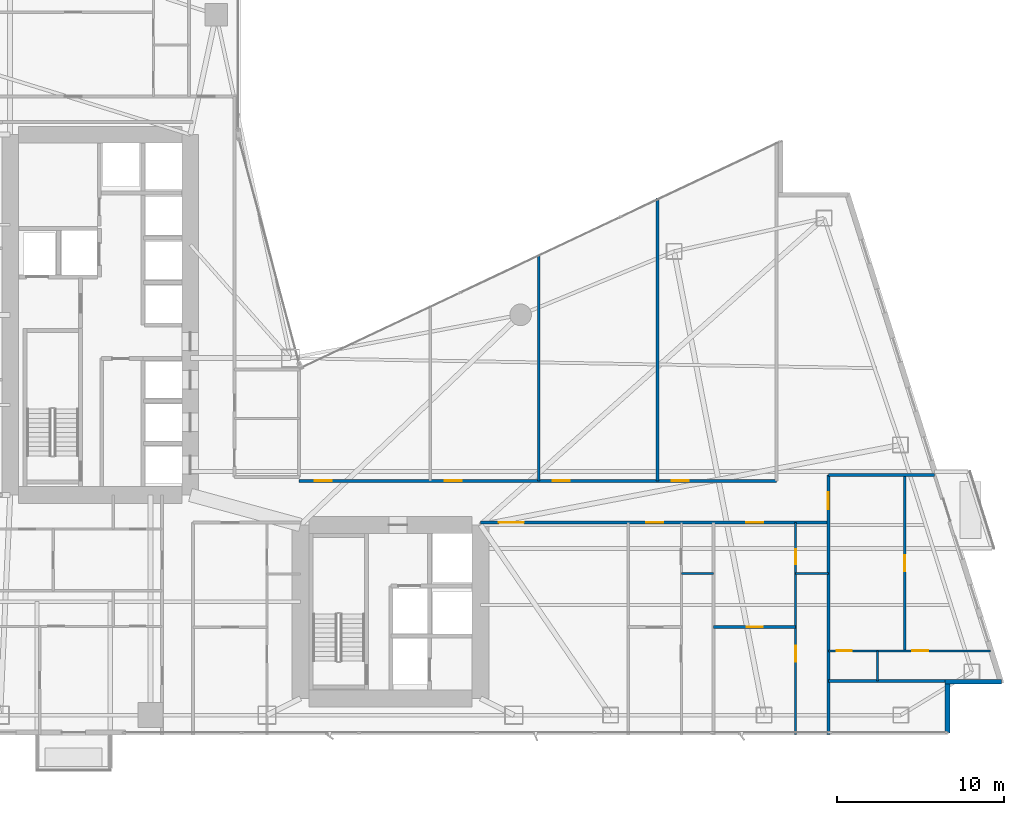
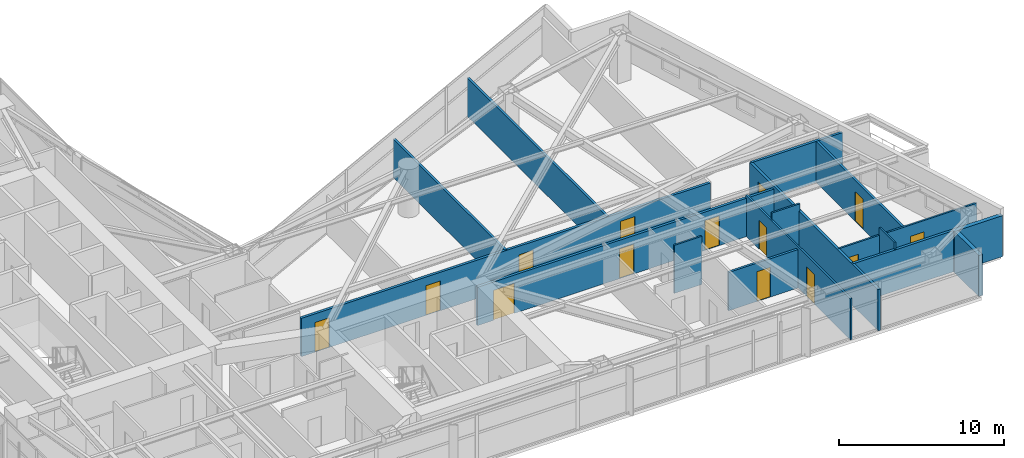
# One storey, part 24 of 29: 16 walls, 14 doors, 14 openings.
"""IFC4 building model written with IfcOpenShell, lengths in metres."""

from ifc_helpers import new_model, si_unit, direction, frame, frame_2d, origin, place, context, subcontext, project, spatial, rectangle, extrude, material, layer, layer_set, type_object, element, fill, save


model = new_model("IFC4")

# Units and contexts
model_context = context("Model", 3, precision=1e-05, world=origin(), true_north=direction((0.0, 1.0)))
body_context = subcontext(model_context, "Body", "Model", "MODEL_VIEW")
ifc_project = project(units=[si_unit("LENGTHUNIT", "METRE"), si_unit("AREAUNIT", "SQUARE_METRE"), si_unit("VOLUMEUNIT", "CUBIC_METRE"), si_unit("PLANEANGLEUNIT", "RADIAN"), si_unit("MASSUNIT", "GRAM", prefix="KILO")], contexts=[model_context])

# Site, building, storey
site_placement = place(None, origin())
site = spatial("IfcSite", under=ifc_project, at=site_placement, CompositionType="ELEMENT")
building_placement = place(site_placement, origin())
building = spatial("IfcBuilding", under=site, at=building_placement, Name="Calvorn Quay Hotel", CompositionType="ELEMENT")
storey_placement = place(building_placement, frame((0.0, 0.0, 81.199951171875)))
storey = spatial("IfcBuildingStorey", under=building, at=storey_placement, Name="L19", CompositionType="ELEMENT", Elevation=81.199951171875)

# Wall, openings, doors
ifc_material_1 = material(Name="Acoustic Fireboard Steel-Stud Partition", Category="steel")
ifc_layer_1 = layer(ifc_material_1, 0.179931640625)
ifc_layer_set_1 = layer_set([ifc_layer_1], Name="WL-CORR-FIRE-180")
wall_type_1 = type_object("IfcWallType", Name="WL-CORR-FIRE-180", PredefinedType="PARTITIONING", material=ifc_layer_set_1)
wall_1_placement = place(storey_placement, frame((32.39990234375, 15.14990234375, 0.0), z_axis=(0.0, 0.0, 1.0), x_axis=(1.0, 0.0, 0.0)))
wall_1 = element("IfcWall", 1, at=wall_1_placement, inside=storey, type_object=wall_type_1, Name="Partition Wall L19-WL-CORR-SE-S", PredefinedType="PARTITIONING", context=body_context, shape_type="SweptSolid", body=[
    extrude(rectangle(XDim=20.85009765625, YDim=0.179931640625, at=frame_2d((10.425048828125, 0.0))), origin(), (0.0, 0.0, 1.0), 2.840087890625),
])
opening_1_placement = place(wall_1_placement, frame((1.10009765625, 0.0, 0.0)))
opening_1 = element("IfcOpeningElement", 2, at=opening_1_placement, cuts=wall_1, Name="Opening D-L19-SEM", PredefinedType="OPENING", context=body_context, shape_type="SweptSolid", body=[
    extrude(rectangle(XDim=1.5, YDim=2.219970703125, at=frame_2d((0.75, 1.10986328125))), frame((0.0, 0.099853515625, 0.0), z_axis=(0.0, -1.0, 0.0), x_axis=(1.0, 0.0, 0.0)), (0.0, 0.0, 1.0), 0.199951171875),
])
opening_2_placement = place(wall_1_placement, frame((9.93994140625, 0.0, 0.0)))
opening_2 = element("IfcOpeningElement", 3, at=opening_2_placement, cuts=wall_1, Name="Opening D-L19-U05", PredefinedType="OPENING", context=body_context, shape_type="SweptSolid", body=[
    extrude(rectangle(XDim=1.02001953125, YDim=2.199951171875, at=frame_2d((0.510009765625, 1.10009765625))), frame((0.0, 0.099853515625, 0.0), z_axis=(0.0, -1.0, 0.0), x_axis=(1.0, 0.0, 0.0)), (0.0, 0.0, 1.0), 0.199951171875),
])
opening_3_placement = place(wall_1_placement, frame((15.919921875, 0.0, 0.0)))
opening_3 = element("IfcOpeningElement", 4, at=opening_3_placement, cuts=wall_1, Name="Opening D-L19-U06", PredefinedType="OPENING", context=body_context, shape_type="SweptSolid", body=[
    extrude(rectangle(XDim=1.02001953125, YDim=2.199951171875, at=frame_2d((0.510009765625, 1.10009765625))), frame((0.0, 0.099853515625, 0.0), z_axis=(0.0, -1.0, 0.0), x_axis=(1.0, 0.0, 0.0)), (0.0, 0.0, 1.0), 0.199951171875),
])
ifc_material_2 = material(Name="Solid-Core Walnut Veneer Hotel Fire Door")
door_type_1 = type_object("IfcDoorType", Name="DR-GUEST-ENTRY-1020", OperationType="NOTDEFINED", PredefinedType="DOOR", material=ifc_material_2)
door_1_placement = place(opening_2_placement, origin())
door_1 = element("IfcDoor", 5, at=door_1_placement, inside=storey, type_object=door_type_1, Name="South-East Unit Door U05 (L19)", OperationType="SINGLE_SWING_RIGHT", OverallHeight=2.199951171875, OverallWidth=1.02001953125, PredefinedType="DOOR", context=body_context, shape_type="SweptSolid", body=[
    extrude(rectangle(XDim=1.02001953125, YDim=2.199951171875, at=frame_2d((0.510009765625, 1.10009765625))), frame((0.0, 0.02490234375, 0.0), z_axis=(0.0, -1.0, 0.0), x_axis=(1.0, 0.0, 0.0)), (0.0, 0.0, 1.0), 0.050048828125),
])
fill(opening_2, door_1)
door_2_placement = place(opening_3_placement, origin())
door_2 = element("IfcDoor", 6, at=door_2_placement, inside=storey, type_object=door_type_1, Name="South-East Unit Door U06 (L19)", OperationType="SINGLE_SWING_LEFT", OverallHeight=2.199951171875, OverallWidth=1.02001953125, PredefinedType="DOOR", context=body_context, shape_type="SweptSolid", body=[
    extrude(rectangle(XDim=1.02001953125, YDim=2.199951171875, at=frame_2d((0.510009765625, 1.10009765625))), frame((0.0, 0.02490234375, 0.0), z_axis=(0.0, -1.0, 0.0), x_axis=(1.0, 0.0, 0.0)), (0.0, 0.0, 1.0), 0.050048828125),
])
fill(opening_3, door_2)
ifc_material_3 = material(Name="Solid-Core Walnut Double Suite Entry Door")
door_type_2 = type_object("IfcDoorType", Name="DR-SUITE-DBL-1500", OperationType="NOTDEFINED", PredefinedType="DOOR", material=ifc_material_3)
door_3_placement = place(opening_1_placement, origin())
door_3 = element("IfcDoor", 7, at=door_3_placement, inside=storey, type_object=door_type_2, Name="Conference Salon Door (L19)", OperationType="SINGLE_SWING_LEFT", OverallHeight=2.219970703125, OverallWidth=1.5, PredefinedType="DOOR", context=body_context, shape_type="SweptSolid", body=[
    extrude(rectangle(XDim=1.5, YDim=2.219970703125, at=frame_2d((0.75, 1.10986328125))), frame((0.0, 0.02490234375, 0.0), z_axis=(0.0, -1.0, 0.0), x_axis=(1.0, 0.0, 0.0)), (0.0, 0.0, 1.0), 0.050048828125),
])
fill(opening_1, door_3)

wall_2_placement = place(storey_placement, frame((21.5, 17.64990234375, 0.0), z_axis=(0.0, 0.0, 1.0), x_axis=(1.0, 0.0, 0.0)))
wall_2 = element("IfcWall", 8, at=wall_2_placement, inside=storey, type_object=wall_type_1, Name="Partition Wall L19-WL-CORR-NE-N", PredefinedType="PARTITIONING", context=body_context, shape_type="SweptSolid", body=[
    extrude(rectangle(XDim=28.64990234375, YDim=0.179931640625, at=frame_2d((14.324951171875, 0.0))), origin(), (0.0, 0.0, 1.0), 2.840087890625),
])
opening_4_placement = place(wall_2_placement, frame((0.949951171875, 0.0, 0.0)))
opening_4 = element("IfcOpeningElement", 9, at=opening_4_placement, cuts=wall_2, Name="Opening D-L19-NS1", PredefinedType="OPENING", context=body_context, shape_type="SweptSolid", body=[
    extrude(rectangle(XDim=1.02001953125, YDim=2.199951171875, at=frame_2d((0.510009765625, 1.10009765625))), frame((0.0, 0.099853515625, 0.0), z_axis=(0.0, -1.0, 0.0), x_axis=(1.0, 0.0, 0.0)), (0.0, 0.0, 1.0), 0.199951171875),
])
opening_5_placement = place(wall_2_placement, frame((8.739990234375, 0.0, 0.0)))
opening_5 = element("IfcOpeningElement", 10, at=opening_5_placement, cuts=wall_2, Name="Opening D-L19-NS2", PredefinedType="OPENING", context=body_context, shape_type="SweptSolid", body=[
    extrude(rectangle(XDim=1.02001953125, YDim=2.199951171875, at=frame_2d((0.510009765625, 1.10009765625))), frame((0.0, 0.099853515625, 0.0), z_axis=(0.0, -1.0, 0.0), x_axis=(1.0, 0.0, 0.0)), (0.0, 0.0, 1.0), 0.199951171875),
])
opening_6_placement = place(wall_2_placement, frame((15.22998046875, 0.0, 0.0)))
opening_6 = element("IfcOpeningElement", 11, at=opening_6_placement, cuts=wall_2, Name="Opening D-L19-NS3", PredefinedType="OPENING", context=body_context, shape_type="SweptSolid", body=[
    extrude(rectangle(XDim=1.02001953125, YDim=2.199951171875, at=frame_2d((0.510009765625, 1.10009765625))), frame((0.0, 0.099853515625, 0.0), z_axis=(0.0, -1.0, 0.0), x_axis=(1.0, 0.0, 0.0)), (0.0, 0.0, 1.0), 0.199951171875),
])
opening_7_placement = place(wall_2_placement, frame((22.360107421875, 0.0, 0.0)))
opening_7 = element("IfcOpeningElement", 12, at=opening_7_placement, cuts=wall_2, Name="Opening D-L19-NS4", PredefinedType="OPENING", context=body_context, shape_type="SweptSolid", body=[
    extrude(rectangle(XDim=1.02001953125, YDim=2.199951171875, at=frame_2d((0.510009765625, 1.10009765625))), frame((0.0, 0.099853515625, 0.0), z_axis=(0.0, -1.0, 0.0), x_axis=(1.0, 0.0, 0.0)), (0.0, 0.0, 1.0), 0.199951171875),
])
door_4_placement = place(opening_4_placement, origin())
door_4 = element("IfcDoor", 13, at=door_4_placement, inside=storey, type_object=door_type_1, Name="Conservatory Salon Door 1 (L19)", OperationType="SINGLE_SWING_RIGHT", OverallHeight=2.199951171875, OverallWidth=1.02001953125, PredefinedType="DOOR", context=body_context, shape_type="SweptSolid", body=[
    extrude(rectangle(XDim=1.02001953125, YDim=2.199951171875, at=frame_2d((0.510009765625, 1.10009765625))), frame((0.0, 0.02490234375, 0.0), z_axis=(0.0, -1.0, 0.0), x_axis=(1.0, 0.0, 0.0)), (0.0, 0.0, 1.0), 0.050048828125),
])
fill(opening_4, door_4)
door_5_placement = place(opening_5_placement, origin())
door_5 = element("IfcDoor", 14, at=door_5_placement, inside=storey, type_object=door_type_1, Name="Conservatory Salon Door 2 (L19)", OperationType="SINGLE_SWING_LEFT", OverallHeight=2.199951171875, OverallWidth=1.02001953125, PredefinedType="DOOR", context=body_context, shape_type="SweptSolid", body=[
    extrude(rectangle(XDim=1.02001953125, YDim=2.199951171875, at=frame_2d((0.510009765625, 1.10009765625))), frame((0.0, 0.02490234375, 0.0), z_axis=(0.0, -1.0, 0.0), x_axis=(1.0, 0.0, 0.0)), (0.0, 0.0, 1.0), 0.050048828125),
])
fill(opening_5, door_5)
door_6_placement = place(opening_6_placement, origin())
door_6 = element("IfcDoor", 15, at=door_6_placement, inside=storey, type_object=door_type_1, Name="Conservatory Salon Door 3 (L19)", OperationType="SINGLE_SWING_RIGHT", OverallHeight=2.199951171875, OverallWidth=1.02001953125, PredefinedType="DOOR", context=body_context, shape_type="SweptSolid", body=[
    extrude(rectangle(XDim=1.02001953125, YDim=2.199951171875, at=frame_2d((0.510009765625, 1.10009765625))), frame((0.0, 0.02490234375, 0.0), z_axis=(0.0, -1.0, 0.0), x_axis=(1.0, 0.0, 0.0)), (0.0, 0.0, 1.0), 0.050048828125),
])
fill(opening_6, door_6)
door_7_placement = place(opening_7_placement, origin())
door_7 = element("IfcDoor", 16, at=door_7_placement, inside=storey, type_object=door_type_1, Name="Conservatory Salon Door 4 (L19)", OperationType="SINGLE_SWING_LEFT", OverallHeight=2.199951171875, OverallWidth=1.02001953125, PredefinedType="DOOR", context=body_context, shape_type="SweptSolid", body=[
    extrude(rectangle(XDim=1.02001953125, YDim=2.199951171875, at=frame_2d((0.510009765625, 1.10009765625))), frame((0.0, 0.02490234375, 0.0), z_axis=(0.0, -1.0, 0.0), x_axis=(1.0, 0.0, 0.0)), (0.0, 0.0, 1.0), 0.050048828125),
])
fill(opening_7, door_7)

# Walls
wall_3_placement = place(storey_placement, frame((53.25, 5.659912109375, 0.0), z_axis=(0.0, 0.0, 1.0), x_axis=(1.0, 0.0, 0.0)))
element("IfcWall", 17, at=wall_3_placement, inside=storey, type_object=wall_type_1, Name="Partition Wall L19-WL-TIP-S", PredefinedType="PARTITIONING", context=body_context, shape_type="SweptSolid", body=[
    extrude(rectangle(XDim=7.14990234375, YDim=0.179931640625, at=frame_2d((3.574951171875, 0.0))), origin(), (0.0, 0.0, 1.0), 3.0400390625),
])
wall_4_placement = place(storey_placement, frame((53.25, 18.0, 0.0), z_axis=(0.0, 0.0, 1.0), x_axis=(1.0, 0.0, 0.0)))
element("IfcWall", 18, at=wall_4_placement, inside=storey, type_object=wall_type_1, Name="Partition Wall L19-WL-TIP-DIV", PredefinedType="PARTITIONING", context=body_context, shape_type="SweptSolid", body=[
    extrude(rectangle(XDim=6.3798828125, YDim=0.179931640625, at=frame_2d((3.18994140625, 0.0))), origin(), (0.0, 0.0, 1.0), 3.0400390625),
])

# Wall, opening, door
wall_5_placement = place(storey_placement, frame((53.25, 2.43994140625, 0.0), z_axis=(0.0, 0.0, 1.0), x_axis=(0.0, 1.0, 0.0)))
wall_5 = element("IfcWall", 19, at=wall_5_placement, inside=storey, type_object=wall_type_1, Name="Partition Wall L19-WL-CORR-TIP-E1", PredefinedType="PARTITIONING", context=body_context, shape_type="SweptSolid", body=[
    extrude(rectangle(XDim=15.56005859375, YDim=0.179931640625, at=frame_2d((7.780029296875, 0.0))), origin(), (0.0, 0.0, 1.0), 3.0400390625),
])
opening_8_placement = place(wall_5_placement, frame((13.510009765625, 0.0, 0.0)))
opening_8 = element("IfcOpeningElement", 20, at=opening_8_placement, cuts=wall_5, Name="Opening D-L19-U07", PredefinedType="OPENING", context=body_context, shape_type="SweptSolid", body=[
    extrude(rectangle(XDim=1.02001953125, YDim=2.199951171875, at=frame_2d((0.510009765625, 1.10009765625))), frame((0.0, 0.099853515625, 0.0), z_axis=(0.0, -1.0, 0.0), x_axis=(1.0, 0.0, 0.0)), (0.0, 0.0, 1.0), 0.199951171875),
])
door_8_placement = place(opening_8_placement, origin())
door_8 = element("IfcDoor", 21, at=door_8_placement, inside=storey, type_object=door_type_1, Name="Terrace Suite Door U07 (L19)", OperationType="SINGLE_SWING_LEFT", OverallHeight=2.199951171875, OverallWidth=1.02001953125, PredefinedType="DOOR", context=body_context, shape_type="SweptSolid", body=[
    extrude(rectangle(XDim=1.02001953125, YDim=2.199951171875, at=frame_2d((0.510009765625, 1.10009765625))), frame((0.0, 0.02490234375, 0.0), z_axis=(0.0, -1.0, 0.0), x_axis=(1.0, 0.0, 0.0)), (0.0, 0.0, 1.0), 0.050048828125),
])
fill(opening_8, door_8)

# Walls
ifc_material_4 = material(Name="Moisture-Resistant Tile-Backed Partition")
ifc_layer_2 = layer(ifc_material_4, 0.125)
ifc_layer_set_2 = layer_set([ifc_layer_2], Name="WL-ENSUITE-125")
wall_type_2 = type_object("IfcWallType", Name="WL-ENSUITE-125", PredefinedType="PARTITIONING", material=ifc_layer_set_2)
wall_6_placement = place(storey_placement, frame((44.43994140625, 12.10009765625, 0.0), z_axis=(0.0, 0.0, 1.0), x_axis=(1.0, 0.0, 0.0)))
element("IfcWall", 22, at=wall_6_placement, inside=storey, type_object=wall_type_2, Name="Partition Wall L19-WL-U05-BDV", PredefinedType="PARTITIONING", context=body_context, shape_type="SweptSolid", body=[
    extrude(rectangle(XDim=1.93017578125, YDim=0.125, at=frame_2d((0.965087890625, 0.0))), origin(), (0.0, 0.0, 1.0), 3.56005859375),
])
wall_7_placement = place(storey_placement, frame((51.2900390625, 12.10009765625, 0.0), z_axis=(0.0, 0.0, 1.0), x_axis=(1.0, 0.0, 0.0)))
element("IfcWall", 23, at=wall_7_placement, inside=storey, type_object=wall_type_2, Name="Partition Wall L19-WL-U06-BDV", PredefinedType="PARTITIONING", context=body_context, shape_type="SweptSolid", body=[
    extrude(rectangle(XDim=1.9599609375, YDim=0.125, at=frame_2d((0.97998046875, 0.0))), origin(), (0.0, 0.0, 1.0), 3.56005859375),
])

# Wall, openings, doors
wall_8_placement = place(storey_placement, frame((51.2900390625, 2.43994140625, 0.0), z_axis=(0.0, 0.0, 1.0), x_axis=(0.0, 1.0, 0.0)))
wall_8 = element("IfcWall", 24, at=wall_8_placement, inside=storey, type_object=wall_type_2, Name="Partition Wall L19-WL-U06-BV", PredefinedType="PARTITIONING", context=body_context, shape_type="SweptSolid", body=[
    extrude(rectangle(XDim=12.7099609375, YDim=0.125, at=frame_2d((6.35498046875, 0.0))), origin(), (0.0, 0.0, 1.0), 3.0400390625),
])
opening_9_placement = place(wall_8_placement, frame((4.35009765625, 0.0, 0.0)))
opening_9 = element("IfcOpeningElement", 25, at=opening_9_placement, cuts=wall_8, Name="Opening D-L19-S06", PredefinedType="OPENING", context=body_context, shape_type="SweptSolid", body=[
    extrude(rectangle(XDim=0.9599609375, YDim=2.199951171875, at=frame_2d((0.47998046875, 1.10009765625))), frame((0.0, 0.072509765625, 0.0), z_axis=(0.0, -1.0, 0.0), x_axis=(1.0, 0.0, 0.0)), (0.0, 0.0, 1.0), 0.14501953125),
])
opening_10_placement = place(wall_8_placement, frame((10.2099609375, 0.0, 0.0)))
opening_10 = element("IfcOpeningElement", 26, at=opening_10_placement, cuts=wall_8, Name="Opening D-L19-E06", PredefinedType="OPENING", context=body_context, shape_type="SweptSolid", body=[
    extrude(rectangle(XDim=0.89990234375, YDim=2.14990234375, at=frame_2d((0.449951171875, 1.074951171875))), frame((0.0, 0.072509765625, 0.0), z_axis=(0.0, -1.0, 0.0), x_axis=(1.0, 0.0, 0.0)), (0.0, 0.0, 1.0), 0.14501953125),
])
ifc_material_5 = material(Name="Moisture-Sealed Timber En-Suite Door", Category="wood")
door_type_3 = type_object("IfcDoorType", Name="DR-ENSUITE-900", OperationType="NOTDEFINED", PredefinedType="DOOR", material=ifc_material_5)
door_9_placement = place(opening_10_placement, origin())
door_9 = element("IfcDoor", 27, at=door_9_placement, inside=storey, type_object=door_type_3, Name="En-Suite Door 06", OperationType="SINGLE_SWING_RIGHT", OverallHeight=2.14990234375, OverallWidth=0.89990234375, PredefinedType="DOOR", context=body_context, shape_type="SweptSolid", body=[
    extrude(rectangle(XDim=0.89990234375, YDim=2.14990234375, at=frame_2d((0.449951171875, 1.074951171875))), frame((0.0, 0.02490234375, 0.0), z_axis=(0.0, -1.0, 0.0), x_axis=(1.0, 0.0, 0.0)), (0.0, 0.0, 1.0), 0.050048828125),
])
fill(opening_10, door_9)
ifc_material_6 = material(Name="Solid Timber Internal Suite Door", Category="wood")
door_type_4 = type_object("IfcDoorType", Name="DR-SUITE-INT-960", OperationType="NOTDEFINED", PredefinedType="DOOR", material=ifc_material_6)
door_10_placement = place(opening_9_placement, origin())
door_10 = element("IfcDoor", 28, at=door_10_placement, inside=storey, type_object=door_type_4, Name="Private Media Cinema Door 06", OperationType="SINGLE_SWING_LEFT", OverallHeight=2.199951171875, OverallWidth=0.9599609375, PredefinedType="DOOR", context=body_context, shape_type="SweptSolid", body=[
    extrude(rectangle(XDim=0.9599609375, YDim=2.199951171875, at=frame_2d((0.47998046875, 1.10009765625))), frame((0.0, 0.02490234375, 0.0), z_axis=(0.0, -1.0, 0.0), x_axis=(1.0, 0.0, 0.0)), (0.0, 0.0, 1.0), 0.050048828125),
])
fill(opening_9, door_10)

# Wall
wall_9_placement = place(storey_placement, frame((56.199951171875, 5.659912109375, 0.0), z_axis=(0.0, 0.0, 1.0), x_axis=(0.0, 1.0, 0.0)))
element("IfcWall", 29, at=wall_9_placement, inside=storey, type_object=wall_type_2, Name="Partition Wall L19-WL-U07-BDV", PredefinedType="PARTITIONING", context=body_context, shape_type="SweptSolid", body=[
    extrude(rectangle(XDim=1.7900390625, YDim=0.125, at=frame_2d((0.89501953125, 0.0))), origin(), (0.0, 0.0, 1.0), 3.56005859375),
])

# Wall, openings, doors
wall_10_placement = place(storey_placement, frame((53.25, 7.449951171875, 0.0), z_axis=(0.0, 0.0, 1.0), x_axis=(1.0, 0.0, 0.0)))
wall_10 = element("IfcWall", 30, at=wall_10_placement, inside=storey, type_object=wall_type_2, Name="Partition Wall L19-WL-U07-BH", PredefinedType="PARTITIONING", context=body_context, shape_type="SweptSolid", body=[
    extrude(rectangle(XDim=9.7099609375, YDim=0.125, at=frame_2d((4.85498046875, 0.0))), origin(), (0.0, 0.0, 1.0), 3.0400390625),
])
opening_11_placement = place(wall_10_placement, frame((0.5, 0.0, 0.0)))
opening_11 = element("IfcOpeningElement", 31, at=opening_11_placement, cuts=wall_10, Name="Opening D-L19-E07", PredefinedType="OPENING", context=body_context, shape_type="SweptSolid", body=[
    extrude(rectangle(XDim=0.89990234375, YDim=2.14990234375, at=frame_2d((0.449951171875, 1.074951171875))), frame((0.0, 0.072509765625, 0.0), z_axis=(0.0, -1.0, 0.0), x_axis=(1.0, 0.0, 0.0)), (0.0, 0.0, 1.0), 0.14501953125),
])
opening_12_placement = place(wall_10_placement, frame((5.0400390625, 0.0, 0.0)))
opening_12 = element("IfcOpeningElement", 32, at=opening_12_placement, cuts=wall_10, Name="Opening D-L19-S07", PredefinedType="OPENING", context=body_context, shape_type="SweptSolid", body=[
    extrude(rectangle(XDim=0.9599609375, YDim=2.199951171875, at=frame_2d((0.47998046875, 1.10009765625))), frame((0.0, 0.072509765625, 0.0), z_axis=(0.0, -1.0, 0.0), x_axis=(1.0, 0.0, 0.0)), (0.0, 0.0, 1.0), 0.14501953125),
])
door_11_placement = place(opening_11_placement, origin())
door_11 = element("IfcDoor", 33, at=door_11_placement, inside=storey, type_object=door_type_3, Name="En-Suite Door 07", OperationType="SINGLE_SWING_LEFT", OverallHeight=2.14990234375, OverallWidth=0.89990234375, PredefinedType="DOOR", context=body_context, shape_type="SweptSolid", body=[
    extrude(rectangle(XDim=0.89990234375, YDim=2.14990234375, at=frame_2d((0.449951171875, 1.074951171875))), frame((0.0, 0.02490234375, 0.0), z_axis=(0.0, -1.0, 0.0), x_axis=(1.0, 0.0, 0.0)), (0.0, 0.0, 1.0), 0.050048828125),
])
fill(opening_11, door_11)
door_12_placement = place(opening_12_placement, origin())
door_12 = element("IfcDoor", 34, at=door_12_placement, inside=storey, type_object=door_type_4, Name="Private Media Cinema Door 07", OperationType="SINGLE_SWING_RIGHT", OverallHeight=2.199951171875, OverallWidth=0.9599609375, PredefinedType="DOOR", context=body_context, shape_type="SweptSolid", body=[
    extrude(rectangle(XDim=0.9599609375, YDim=2.199951171875, at=frame_2d((0.47998046875, 1.10009765625))), frame((0.0, 0.02490234375, 0.0), z_axis=(0.0, -1.0, 0.0), x_axis=(1.0, 0.0, 0.0)), (0.0, 0.0, 1.0), 0.050048828125),
])
fill(opening_12, door_12)

# Walls
ifc_material_7 = material(Name="Concrete C40", Category="concrete")
ifc_layer_3 = layer(ifc_material_7, 0.320068359375)
ifc_layer_set_3 = layer_set([ifc_layer_3], Name="WL-EXT-SPANDREL-320")
wall_type_3 = type_object("IfcWallType", Name="WL-EXT-SPANDREL-320", PredefinedType="SOLIDWALL", material=ifc_layer_set_3)
wall_11_placement = place(storey_placement, frame((60.39990234375, 2.52001953125, 0.0), z_axis=(0.0, 0.0, 1.0), x_axis=(0.0, 1.0, 0.0)))
element("IfcWall", 35, at=wall_11_placement, inside=storey, type_object=wall_type_3, Name="Notched Corner Spandrel L19-SE1", PredefinedType="SOLIDWALL", context=body_context, shape_type="SweptSolid", body=[
    extrude(rectangle(XDim=2.93994140625, YDim=0.280029296875, at=frame_2d((1.469970703125, 0.0))), origin(), (0.0, 0.0, 1.0), 3.0400390625),
])
wall_12_placement = place(storey_placement, frame((60.260009765625, 5.60009765625, 0.0), z_axis=(0.0, 0.0, 1.0), x_axis=(1.0, 0.0, 0.0)))
element("IfcWall", 36, at=wall_12_placement, inside=storey, type_object=wall_type_3, Name="Notched Corner Spandrel L19-SE2", PredefinedType="SOLIDWALL", context=body_context, shape_type="SweptSolid", body=[
    extrude(rectangle(XDim=3.3798828125, YDim=0.280029296875, at=frame_2d((1.68994140625, 0.0))), origin(), (0.0, 0.0, 1.0), 3.0400390625),
])

# Wall, opening, door
ifc_material_8 = material(Name="Double-Stud Acoustic Gypsum Partition")
ifc_layer_4 = layer(ifc_material_8, 0.159912109375)
ifc_layer_set_4 = layer_set([ifc_layer_4], Name="WL-INTERSUITE-160")
wall_type_4 = type_object("IfcWallType", Name="WL-INTERSUITE-160", PredefinedType="PARTITIONING", material=ifc_layer_set_4)
wall_13_placement = place(storey_placement, frame((46.3701171875, 8.8798828125, 0.0), z_axis=(0.0, 0.0, 1.0), x_axis=(1.0, 0.0, 0.0)))
wall_13 = element("IfcWall", 37, at=wall_13_placement, inside=storey, type_object=wall_type_4, Name="Partition Wall L19-WL-U06-MSP", PredefinedType="PARTITIONING", context=body_context, shape_type="SweptSolid", body=[
    extrude(rectangle(XDim=4.919921875, YDim=0.159912109375, at=frame_2d((2.4599609375, 0.0))), origin(), (0.0, 0.0, 1.0), 2.840087890625),
])
opening_13_placement = place(wall_13_placement, frame((1.97998046875, 0.0, 0.0)))
opening_13 = element("IfcOpeningElement", 38, at=opening_13_placement, cuts=wall_13, Name="Opening D-L19-M06", PredefinedType="OPENING", context=body_context, shape_type="SweptSolid", body=[
    extrude(rectangle(XDim=0.9599609375, YDim=2.199951171875, at=frame_2d((0.47998046875, 1.10009765625))), frame((0.0, 0.08984375, 0.0), z_axis=(0.0, -1.0, 0.0), x_axis=(1.0, 0.0, 0.0)), (0.0, 0.0, 1.0), 0.179931640625),
])
door_13_placement = place(opening_13_placement, origin())
door_13 = element("IfcDoor", 39, at=door_13_placement, inside=storey, type_object=door_type_4, Name="Suite Bedroom Door 06", OperationType="SINGLE_SWING_LEFT", OverallHeight=2.199951171875, OverallWidth=0.9599609375, PredefinedType="DOOR", context=body_context, shape_type="SweptSolid", body=[
    extrude(rectangle(XDim=0.9599609375, YDim=2.199951171875, at=frame_2d((0.47998046875, 1.10009765625))), frame((0.0, 0.02490234375, 0.0), z_axis=(0.0, -1.0, 0.0), x_axis=(1.0, 0.0, 0.0)), (0.0, 0.0, 1.0), 0.050048828125),
])
fill(opening_13, door_13)

# Walls
wall_14_placement = place(storey_placement, frame((35.8798828125, 17.64990234375, 0.0), z_axis=(0.0, 0.0, 1.0), x_axis=(0.0, 1.0, 0.0)))
element("IfcWall", 40, at=wall_14_placement, inside=storey, type_object=wall_type_4, Name="Partition Wall L19-WL-NE-DIV-2", PredefinedType="PARTITIONING", context=body_context, shape_type="SweptSolid", body=[
    extrude(rectangle(XDim=13.570068359375, YDim=0.159912109375, at=frame_2d((6.78515625, 0.0))), origin(), (0.0, 0.0, 1.0), 2.840087890625),
])
wall_15_placement = place(storey_placement, frame((43.010009765625, 17.64990234375, 0.0), z_axis=(0.0, 0.0, 1.0), x_axis=(0.0, 1.0, 0.0)))
element("IfcWall", 41, at=wall_15_placement, inside=storey, type_object=wall_type_4, Name="Partition Wall L19-WL-NE-DIV-3", PredefinedType="PARTITIONING", context=body_context, shape_type="SweptSolid", body=[
    extrude(rectangle(XDim=16.940185546875, YDim=0.159912109375, at=frame_2d((8.47021484375, 0.0))), origin(), (0.0, 0.0, 1.0), 2.840087890625),
])

# Wall, opening, door
wall_16_placement = place(storey_placement, frame((57.830078125, 7.449951171875, 0.0), z_axis=(0.0, 0.0, 1.0), x_axis=(0.0, 1.0, 0.0)))
wall_16 = element("IfcWall", 42, at=wall_16_placement, inside=storey, type_object=wall_type_4, Name="Partition Wall L19-WL-U07-MSP", PredefinedType="PARTITIONING", context=body_context, shape_type="SweptSolid", body=[
    extrude(rectangle(XDim=10.550048828125, YDim=0.159912109375, at=frame_2d((5.27490234375, 0.0))), origin(), (0.0, 0.0, 1.0), 3.0400390625),
])
opening_14_placement = place(wall_16_placement, frame((4.7900390625, 0.0, 0.0)))
opening_14 = element("IfcOpeningElement", 43, at=opening_14_placement, cuts=wall_16, Name="Opening D-L19-M07", PredefinedType="OPENING", context=body_context, shape_type="SweptSolid", body=[
    extrude(rectangle(XDim=0.9599609375, YDim=2.199951171875, at=frame_2d((0.47998046875, 1.10009765625))), frame((0.0, 0.08984375, 0.0), z_axis=(0.0, -1.0, 0.0), x_axis=(1.0, 0.0, 0.0)), (0.0, 0.0, 1.0), 0.179931640625),
])
door_14_placement = place(opening_14_placement, origin())
door_14 = element("IfcDoor", 44, at=door_14_placement, inside=storey, type_object=door_type_4, Name="Suite Bedroom Door 07", OperationType="SINGLE_SWING_LEFT", OverallHeight=2.199951171875, OverallWidth=0.9599609375, PredefinedType="DOOR", context=body_context, shape_type="SweptSolid", body=[
    extrude(rectangle(XDim=0.9599609375, YDim=2.199951171875, at=frame_2d((0.47998046875, 1.10009765625))), frame((0.0, 0.02490234375, 0.0), z_axis=(0.0, -1.0, 0.0), x_axis=(1.0, 0.0, 0.0)), (0.0, 0.0, 1.0), 0.050048828125),
])
fill(opening_14, door_14)

save(model, "model.ifc")
